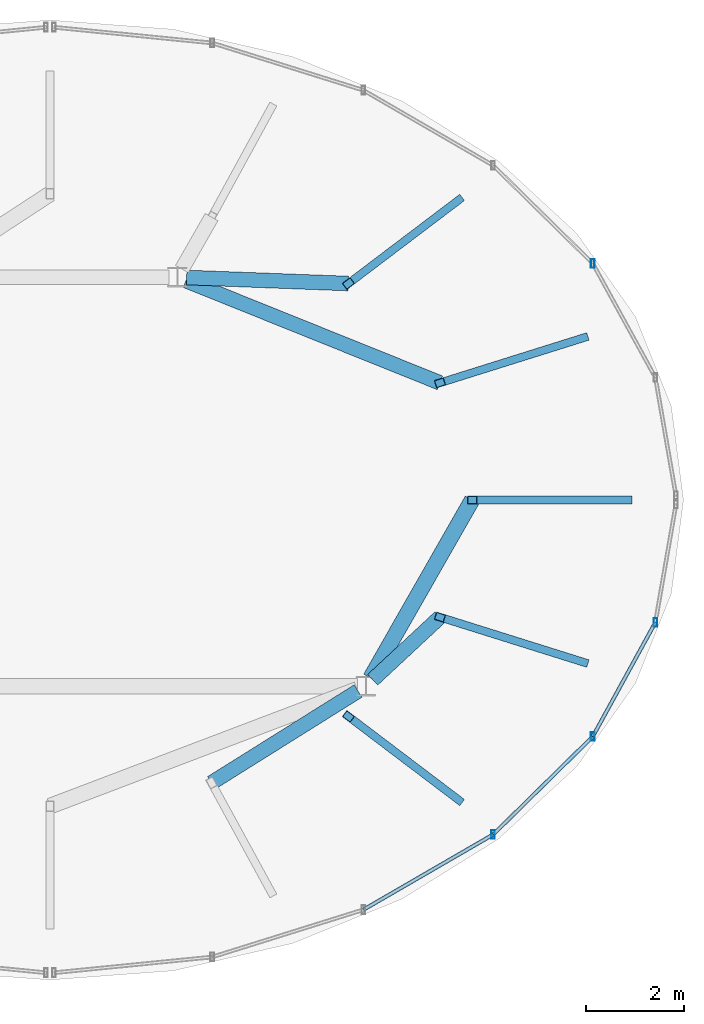
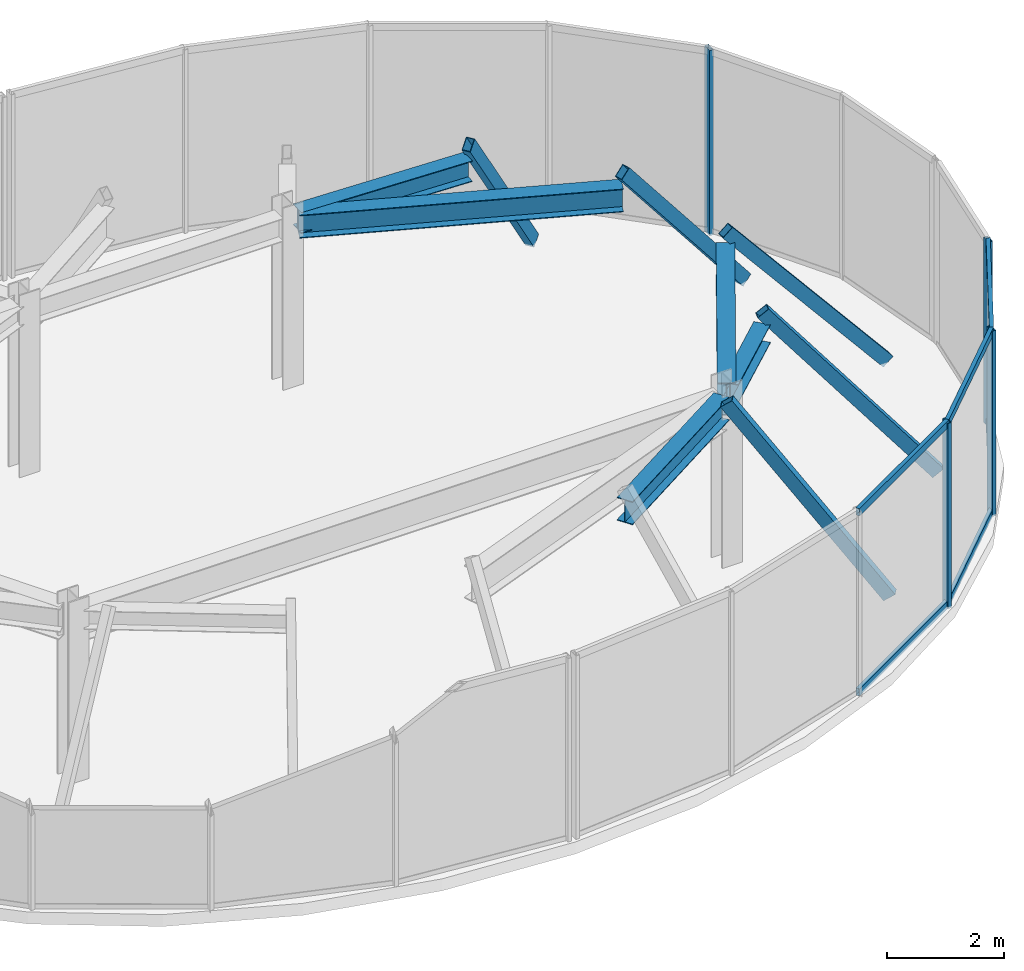
# One storey, part 6 of 10: 15 members, 5 beams, 2 elements without a shape of their own.
"""IFC4 building model written with IfcOpenShell, lengths in metres."""

from ifc_helpers import new_model, si_unit, direction, frame, origin, origin_2d, place, context, subcontext, project, spatial, hollow_rectangle, i_section, extrude, material, material_profile, profile_set, type_object, element, aggregate, save


model = new_model("IFC4")

# Units and contexts
model_context = context("Model", 3, precision=1e-05, world=origin(), true_north=direction((0.0, 1.0)))
body_context = subcontext(model_context, "Body", "Model", "MODEL_VIEW")
ifc_project = project(units=[si_unit("LENGTHUNIT", "METRE"), si_unit("AREAUNIT", "SQUARE_METRE"), si_unit("VOLUMEUNIT", "CUBIC_METRE"), si_unit("PLANEANGLEUNIT", "RADIAN"), si_unit("MASSUNIT", "GRAM", prefix="KILO")], contexts=[model_context])

# Site, building, storey
site_placement = place(None, origin())
site = spatial("IfcSite", under=ifc_project, at=site_placement, CompositionType="ELEMENT")
building_placement = place(site_placement, origin())
building = spatial("IfcBuilding", under=site, at=building_placement, Name="Vorneva Point Tower", CompositionType="ELEMENT")
storey_placement = place(building_placement, frame((0.0, 0.0, 306.800048828125)))
storey = spatial("IfcBuildingStorey", under=building, at=storey_placement, Name="C04", CompositionType="ELEMENT", Elevation=306.800048828125)

# Beams
ifc_material_1 = material(Name="Steel S355", Category="steel")
ifc_material_profile_1 = material_profile(ifc_material_1, i_section(OverallWidth=0.299072265625, OverallDepth=0.383056640625, WebThickness=0.009521484375, FlangeThickness=0.012451171875, at=origin_2d()), Name="40Sh1")
ifc_profile_set_1 = profile_set([ifc_material_profile_1], Name="Steel S355")
beam_type_1 = type_object("IfcBeamType", Name="BM-GRD-40Sh1", PredefinedType="USERDEFINED", material=ifc_profile_set_1)
beam_1_placement = place(storey_placement, frame((45.9619140625, 23.608154296875, 3.3583984375), z_axis=(-0.731777583724, -0.681543518756, 0.0), x_axis=(0.681543518756, -0.731777583724, 0.0)))
element("IfcBeam", 1, at=beam_1_placement, inside=storey, type_object=beam_type_1, Name="C04 Radial Primary Girder 16", ObjectType="GIRDER", PredefinedType="USERDEFINED", context=body_context, shape_type="SweptSolid", body=[
    extrude(i_section(OverallWidth=0.299072265625, OverallDepth=0.383056640625, WebThickness=0.009521484375, FlangeThickness=0.012451171875, at=origin_2d()), origin(), (0.0, 0.0, 1.0), 1.8759765625),
])
ifc_material_profile_2 = material_profile(ifc_material_1, i_section(OverallWidth=0.299072265625, OverallDepth=0.43505859375, WebThickness=0.010498046875, FlangeThickness=0.014892578125, at=origin_2d()), Name="45Sh1")
ifc_profile_set_2 = profile_set([ifc_material_profile_2], Name="Steel S355")
beam_type_2 = type_object("IfcBeamType", Name="BM-GRD-45Sh1", PredefinedType="USERDEFINED", material=ifc_profile_set_2)
beam_2_placement = place(storey_placement, frame((44.09375, 30.41943359375, 3.33251953125), z_axis=(-0.999301722896, 0.03736397486, 0.0), x_axis=(-0.03736397486, -0.999301722896, 0.0)))
element("IfcBeam", 2, at=beam_2_placement, inside=storey, type_object=beam_type_2, Name="C04 Radial Primary Girder 03", ObjectType="GIRDER", PredefinedType="USERDEFINED", context=body_context, shape_type="SweptSolid", body=[
    extrude(i_section(OverallWidth=0.299072265625, OverallDepth=0.43505859375, WebThickness=0.010498046875, FlangeThickness=0.014892578125, at=origin_2d()), origin(), (0.0, 0.0, 1.0), 3.30615234375),
])
ifc_material_profile_3 = material_profile(ifc_material_1, i_section(OverallWidth=0.300048828125, OverallDepth=0.48193359375, WebThickness=0.010986328125, FlangeThickness=0.014892578125, at=origin_2d()), Name="50Sh1")
ifc_profile_set_3 = profile_set([ifc_material_profile_3], Name="Steel S355")
beam_type_3 = type_object("IfcBeamType", Name="BM-GRD-50Sh1", PredefinedType="USERDEFINED", material=ifc_profile_set_3)
beam_3_placement = place(storey_placement, frame((45.9619140625, 28.391845703125, 3.308837890625), z_axis=(-0.92767633151, 0.373385355842, 0.0), x_axis=(-0.373385355842, -0.92767633151, 0.0)))
element("IfcBeam", 3, at=beam_3_placement, inside=storey, type_object=beam_type_3, Name="C04 Radial Primary Girder 02", ObjectType="GIRDER", PredefinedType="USERDEFINED", context=body_context, shape_type="SweptSolid", body=[
    extrude(i_section(OverallWidth=0.300048828125, OverallDepth=0.48193359375, WebThickness=0.010986328125, FlangeThickness=0.014892578125, at=origin_2d()), origin(), (0.0, 0.0, 1.0), 5.58984375),
])
beam_4_placement = place(storey_placement, frame((41.298095703125, 20.225830078125, 3.308837890625), z_axis=(0.847496580267, 0.530800853839, 0.0), x_axis=(-0.530800853839, 0.847496580267, 0.0)))
element("IfcBeam", 4, at=beam_4_placement, inside=storey, type_object=beam_type_3, Name="C04 Radial Primary Girder 14", ObjectType="GIRDER", PredefinedType="USERDEFINED", context=body_context, shape_type="SweptSolid", body=[
    extrude(i_section(OverallWidth=0.300048828125, OverallDepth=0.48193359375, WebThickness=0.010986328125, FlangeThickness=0.014892578125, at=origin_2d()), origin(), (0.0, 0.0, 1.0), 3.529296875),
])
ifc_material_profile_4 = material_profile(ifc_material_1, i_section(OverallWidth=0.320068359375, OverallDepth=0.68310546875, WebThickness=0.012939453125, FlangeThickness=0.01904296875, at=origin_2d()), Name="70Sh1")
ifc_profile_set_4 = profile_set([ifc_material_profile_4], Name="Steel S355")
beam_type_4 = type_object("IfcBeamType", Name="BM-GRD-70Sh1", PredefinedType="USERDEFINED", material=ifc_profile_set_4)
beam_5_placement = place(storey_placement, frame((46.617919921875, 26.0, 3.20849609375), z_axis=(-0.495523123149, -0.868594746947, 0.0), x_axis=(0.868594746947, -0.495523123149, 0.0)))
element("IfcBeam", 5, at=beam_5_placement, inside=storey, type_object=beam_type_4, Name="C04 Radial Primary Girder 01", ObjectType="GIRDER", PredefinedType="USERDEFINED", context=body_context, shape_type="SweptSolid", body=[
    extrude(i_section(OverallWidth=0.320068359375, OverallDepth=0.68310546875, WebThickness=0.012939453125, FlangeThickness=0.01904296875, at=origin_2d()), origin(), (0.0, 0.0, 1.0), 4.184814453125),
])

# Curtain wall, member
ifc_material_2 = material(Name="Pale anodised aluminium", Category="aluminium")
curtain_wall_type = type_object("IfcCurtainWallType", Name="CW-CRN-SYS", PredefinedType="NOTDEFINED", material=ifc_material_2)
curtain_wall_1_placement = place(storey_placement, origin())
curtain_wall_1 = element("IfcCurtainWall", 6, at=curtain_wall_1_placement, inside=storey, type_object=curtain_wall_type, Name="C04 Unitised Curtain Wall CW-C04-Q1", PredefinedType="NOTDEFINED")
ifc_material_profile_5 = material_profile(ifc_material_2, hollow_rectangle(XDim=0.074951171875, YDim=0.179931640625, WallThickness=0.00390625, at=origin_2d()), Name="AL-MUL 180x75x4")
ifc_profile_set_5 = profile_set([ifc_material_profile_5], Name="Pale anodised aluminium")
member_type_1 = type_object("IfcMemberType", Name="CW-MUL-180", PredefinedType="MULLION", material=ifc_profile_set_5)
member_1_placement = place(storey_placement, frame((49.081787109375, 30.830078125, -0.0400390625), z_axis=(0.0, 0.0, 1.0), x_axis=(1.0, 0.0, 0.0)))
member_1 = element("IfcMember", 7, at=member_1_placement, type_object=member_type_1, Name="CW-C04-Q1 Mullion 03", PredefinedType="MULLION", context=body_context, shape_type="SweptSolid", body=[
    extrude(hollow_rectangle(XDim=0.074951171875, YDim=0.179931640625, WallThickness=0.00390625, at=origin_2d()), origin(), (0.0, 0.0, 1.0), 3.869873046875),
])
aggregate(curtain_wall_1, [member_1])

# Curtain wall, members
curtain_wall_2_placement = place(storey_placement, origin())
curtain_wall_2 = element("IfcCurtainWall", 8, at=curtain_wall_2_placement, inside=storey, type_object=curtain_wall_type, Name="C04 Unitised Curtain Wall CW-C04-Q4", PredefinedType="NOTDEFINED")
member_2_placement = place(storey_placement, frame((47.048095703125, 19.169189453125, -0.0400390625), z_axis=(0.0, 0.0, 1.0), x_axis=(1.0, 0.0, 0.0)))
member_2 = element("IfcMember", 9, at=member_2_placement, type_object=member_type_1, Name="CW-C04-Q4 Mullion 04", PredefinedType="MULLION", context=body_context, shape_type="SweptSolid", body=[
    extrude(hollow_rectangle(XDim=0.074951171875, YDim=0.179931640625, WallThickness=0.00390625, at=origin_2d()), origin(), (0.0, 0.0, 1.0), 3.869873046875),
])
member_3_placement = place(storey_placement, frame((49.081787109375, 21.169921875, -0.0400390625), z_axis=(0.0, 0.0, 1.0), x_axis=(1.0, 0.0, 0.0)))
member_3 = element("IfcMember", 10, at=member_3_placement, type_object=member_type_1, Name="CW-C04-Q4 Mullion 05", PredefinedType="MULLION", context=body_context, shape_type="SweptSolid", body=[
    extrude(hollow_rectangle(XDim=0.074951171875, YDim=0.179931640625, WallThickness=0.00390625, at=origin_2d()), origin(), (0.0, 0.0, 1.0), 3.869873046875),
])
member_4_placement = place(storey_placement, frame((50.360107421875, 23.499755859375, -0.0400390625), z_axis=(0.0, 0.0, 1.0), x_axis=(1.0, 0.0, 0.0)))
member_4 = element("IfcMember", 11, at=member_4_placement, type_object=member_type_1, Name="CW-C04-Q4 Mullion 06", PredefinedType="MULLION", context=body_context, shape_type="SweptSolid", body=[
    extrude(hollow_rectangle(XDim=0.074951171875, YDim=0.179931640625, WallThickness=0.00390625, at=origin_2d()), origin(), (0.0, 0.0, 1.0), 3.869873046875),
])
ifc_material_profile_6 = material_profile(ifc_material_2, hollow_rectangle(XDim=0.074951171875, YDim=0.14990234375, WallThickness=0.00390625, at=origin_2d()), Name="AL-TRN 150x75x4")
ifc_profile_set_6 = profile_set([ifc_material_profile_6], Name="Pale anodised aluminium")
member_type_2 = type_object("IfcMemberType", Name="CW-TRN-150", PredefinedType="USERDEFINED", material=ifc_profile_set_6)
member_5_placement = place(storey_placement, frame((44.39794921875, 17.63427734375, 0.02001953125), z_axis=(0.865338946389, 0.501187098659, 0.0), x_axis=(-0.501187098659, 0.865338946389, 0.0)))
member_5 = element("IfcMember", 12, at=member_5_placement, type_object=member_type_2, Name="CW-C04-Q4 Transom 03.1", ObjectType="TRANSOM", PredefinedType="USERDEFINED", context=body_context, shape_type="SweptSolid", body=[
    extrude(hollow_rectangle(XDim=0.074951171875, YDim=0.14990234375, WallThickness=0.00390625, at=origin_2d()), origin(), (0.0, 0.0, 1.0), 3.0625),
])
member_6_placement = place(storey_placement, frame((44.39794921875, 17.63427734375, 3.780029296875), z_axis=(0.865338946389, 0.501187098659, 0.0), x_axis=(-0.501187098659, 0.865338946389, 0.0)))
member_6 = element("IfcMember", 13, at=member_6_placement, type_object=member_type_2, Name="CW-C04-Q4 Transom 03.2", ObjectType="TRANSOM", PredefinedType="USERDEFINED", context=body_context, shape_type="SweptSolid", body=[
    extrude(hollow_rectangle(XDim=0.074951171875, YDim=0.14990234375, WallThickness=0.00390625, at=origin_2d()), origin(), (0.0, 0.0, 1.0), 3.0625),
])
member_7_placement = place(storey_placement, frame((47.048095703125, 19.169189453125, 0.02001953125), z_axis=(0.712859660138, 0.701306712465, 0.0), x_axis=(-0.701306712465, 0.712859660138, 0.0)))
member_7 = element("IfcMember", 14, at=member_7_placement, type_object=member_type_2, Name="CW-C04-Q4 Transom 04.1", ObjectType="TRANSOM", PredefinedType="USERDEFINED", context=body_context, shape_type="SweptSolid", body=[
    extrude(hollow_rectangle(XDim=0.074951171875, YDim=0.14990234375, WallThickness=0.00390625, at=origin_2d()), origin(), (0.0, 0.0, 1.0), 2.852783203125),
])
member_8_placement = place(storey_placement, frame((47.048095703125, 19.169189453125, 3.780029296875), z_axis=(0.712859660138, 0.701306712465, 0.0), x_axis=(-0.701306712465, 0.712859660138, 0.0)))
member_8 = element("IfcMember", 15, at=member_8_placement, type_object=member_type_2, Name="CW-C04-Q4 Transom 04.2", ObjectType="TRANSOM", PredefinedType="USERDEFINED", context=body_context, shape_type="SweptSolid", body=[
    extrude(hollow_rectangle(XDim=0.074951171875, YDim=0.14990234375, WallThickness=0.00390625, at=origin_2d()), origin(), (0.0, 0.0, 1.0), 2.852783203125),
])
member_9_placement = place(storey_placement, frame((49.081787109375, 21.169921875, 0.02001953125), z_axis=(0.481026259401, 0.876706186682, 0.0), x_axis=(-0.876706186682, 0.481026259401, 0.0)))
member_9 = element("IfcMember", 16, at=member_9_placement, type_object=member_type_2, Name="CW-C04-Q4 Transom 05.1", ObjectType="TRANSOM", PredefinedType="USERDEFINED", context=body_context, shape_type="SweptSolid", body=[
    extrude(hollow_rectangle(XDim=0.074951171875, YDim=0.14990234375, WallThickness=0.00390625, at=origin_2d()), origin(), (0.0, 0.0, 1.0), 2.657470703125),
])
member_10_placement = place(storey_placement, frame((49.081787109375, 21.169921875, 3.780029296875), z_axis=(0.481026259401, 0.876706186682, 0.0), x_axis=(-0.876706186682, 0.481026259401, 0.0)))
member_10 = element("IfcMember", 17, at=member_10_placement, type_object=member_type_2, Name="CW-C04-Q4 Transom 05.2", ObjectType="TRANSOM", PredefinedType="USERDEFINED", context=body_context, shape_type="SweptSolid", body=[
    extrude(hollow_rectangle(XDim=0.074951171875, YDim=0.14990234375, WallThickness=0.00390625, at=origin_2d()), origin(), (0.0, 0.0, 1.0), 2.657470703125),
])
aggregate(curtain_wall_2, [member_2, member_3, member_4, member_5, member_6, member_7, member_8, member_9, member_10])

# Members
ifc_material_profile_7 = material_profile(ifc_material_1, hollow_rectangle(XDim=0.159912109375, YDim=0.25, WallThickness=0.010009765625, at=origin_2d()), Name="PP 250x160x10")
ifc_profile_set_7 = profile_set([ifc_material_profile_7], Name="Steel S355")
member_type_3 = type_object("IfcMemberType", Name="MBR-CRN-PP250", PredefinedType="CHORD", material=ifc_profile_set_7)
member_11_placement = place(storey_placement, frame((49.785888671875, 26.0, 0.0), z_axis=(-0.640334857209, 0.0, 0.76809587334), x_axis=(0.0, -1.0, 0.0)))
element("IfcMember", 18, at=member_11_placement, inside=storey, type_object=member_type_3, Name="Crown Tapered Frame Rib C04-01", PredefinedType="CHORD", context=body_context, shape_type="SweptSolid", body=[
    extrude(hollow_rectangle(XDim=0.159912109375, YDim=0.25, WallThickness=0.010009765625, at=origin_2d()), origin(), (0.0, 0.0, 1.0), 4.947265625),
])
member_12_placement = place(storey_placement, frame((48.888916015625, 29.310302734375, 0.0), z_axis=(-0.599331651176, -0.188062863602, 0.778096350867), x_axis=(0.299394058413, -0.954129549792, 0.0)))
element("IfcMember", 19, at=member_12_placement, inside=storey, type_object=member_type_3, Name="Crown Tapered Frame Rib C04-02", PredefinedType="CHORD", context=body_context, shape_type="SweptSolid", body=[
    extrude(hollow_rectangle(XDim=0.159912109375, YDim=0.25, WallThickness=0.010009765625, at=origin_2d()), origin(), (0.0, 0.0, 1.0), 4.8837890625),
])
for number, where, z_axis, x_axis, name in (
    (20, (46.333984375, 32.116455078125, 0.0), (-0.473982748599, -0.359051229894, 0.80400408478), (0.603829254859, -0.797113687611, 0.0), "Crown Tapered Frame Rib C04-03"),
    (21, (46.333984375, 19.883544921875, 0.0), (-0.473982748599, 0.359051229894, 0.80400408478), (-0.603829254859, -0.797113687611, 0.0), "Crown Tapered Frame Rib C04-15"),
):
    element("IfcMember", number, at=place(storey_placement, frame(where, z_axis=z_axis, x_axis=x_axis)), inside=storey, type_object=member_type_3, Name=name, PredefinedType="CHORD", context=body_context, shape_type="SweptSolid", body=[
        extrude(hollow_rectangle(XDim=0.159912109375, YDim=0.25, WallThickness=0.010009765625, at=origin_2d()), origin(), (0.0, 0.0, 1.0), 4.726318359375),
    ])
member_13_placement = place(storey_placement, frame((48.888916015625, 22.689697265625, 0.0), z_axis=(-0.599331651176, 0.188062863602, 0.778096350867), x_axis=(-0.299394058413, -0.954129549792, 0.0)))
element("IfcMember", 22, at=member_13_placement, inside=storey, type_object=member_type_3, Name="Crown Tapered Frame Rib C04-16", PredefinedType="CHORD", context=body_context, shape_type="SweptSolid", body=[
    extrude(hollow_rectangle(XDim=0.159912109375, YDim=0.25, WallThickness=0.010009765625, at=origin_2d()), origin(), (0.0, 0.0, 1.0), 4.8837890625),
])

save(model, "model.ifc")
